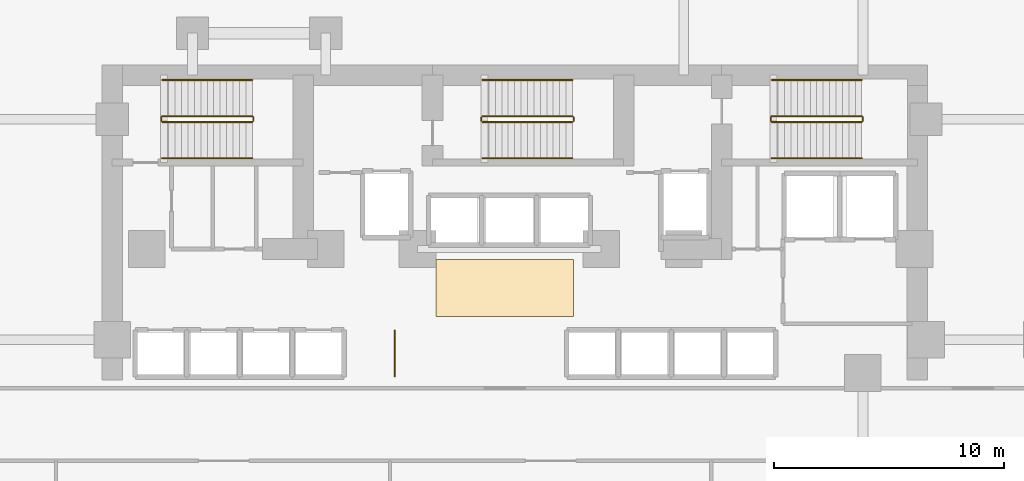
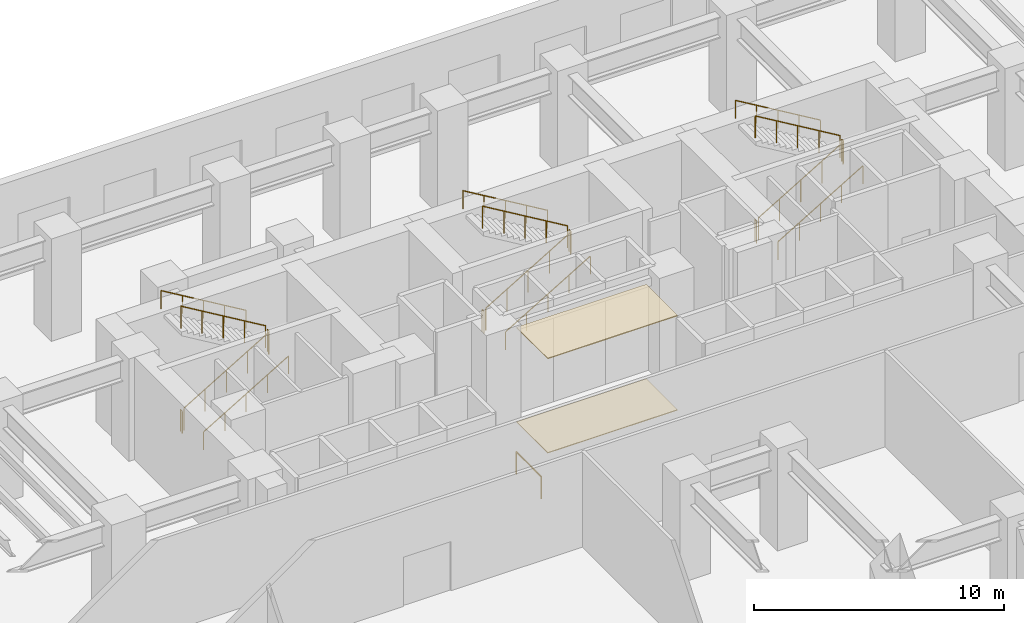
# One storey, part 19 of 19: 19 railings, 2 coverings.
"""IFC4 building model written with IfcOpenShell, lengths in metres."""

from ifc_helpers import new_model, si_unit, direction, frame, origin, origin_2d, place, context, subcontext, project, spatial, polyline, circle, outline, extrude, material, layer, layer_set, type_object, element, save


model = new_model("IFC4")

# Units and contexts
model_context = context("Model", 3, precision=1e-05, world=origin(), true_north=direction((0.0, 1.0)))
body_context = subcontext(model_context, "Body", "Model", "MODEL_VIEW")
ifc_project = project(units=[si_unit("LENGTHUNIT", "METRE"), si_unit("AREAUNIT", "SQUARE_METRE"), si_unit("VOLUMEUNIT", "CUBIC_METRE"), si_unit("PLANEANGLEUNIT", "RADIAN"), si_unit("MASSUNIT", "GRAM", prefix="KILO")], contexts=[model_context])

# Site, building, storey
site_placement = place(None, origin())
site = spatial("IfcSite", under=ifc_project, at=site_placement, CompositionType="ELEMENT")
building_placement = place(site_placement, origin())
building = spatial("IfcBuilding", under=site, at=building_placement, Name="Kestravale Grand Hotel", CompositionType="ELEMENT")
storey_placement = place(building_placement, frame((0.0, 0.0, 5.39990234375)))
storey = spatial("IfcBuildingStorey", under=building, at=storey_placement, Name="L01", CompositionType="ELEMENT", Elevation=5.39990234375)

# Coverings
ifc_material_1 = material(Name="Perforated gypsum and mineral-fibre acoustic ceiling", Category="other")
ifc_layer_1 = layer(ifc_material_1, 0.044921875)
ifc_layer_set_1 = layer_set([ifc_layer_1], Name="COV-INT-CEIL")
covering_type_1 = type_object("IfcCoveringType", Name="COV-INT-CEIL", PredefinedType="CEILING", material=ifc_layer_set_1)
covering_1_placement = place(storey_placement, frame((0.0, 0.0, 4.60498046875)))
element("IfcCovering", 1, at=covering_1_placement, inside=storey, type_object=covering_type_1, Name="L01 elevator lobby acoustic coffered ceiling", PredefinedType="CEILING", context=body_context, shape_type="SweptSolid", body=[
    extrude(outline(polyline([(36.0, 29.800048828125), (42.0, 29.800048828125), (42.0, 32.300048828125), (36.0, 32.300048828125), (36.0, 29.800048828125)])), origin(), (0.0, 0.0, 1.0), 0.045166015625),
])
ifc_material_2 = material(Name="Polished Art Deco brass-inlaid terrazzo flooring", Category="masonry")
ifc_layer_2 = layer(ifc_material_2, 0.034912109375)
ifc_layer_set_2 = layer_set([ifc_layer_2], Name="COV-INT-TERZ")
covering_type_2 = type_object("IfcCoveringType", Name="COV-INT-TERZ", PredefinedType="FLOORING", material=ifc_layer_set_2)
covering_2_placement = place(storey_placement, origin())
element("IfcCovering", 2, at=covering_2_placement, inside=storey, type_object=covering_type_2, Name="L01 elevator lobby brass-inlaid terrazzo floor", PredefinedType="FLOORING", context=body_context, shape_type="SweptSolid", body=[
    extrude(outline(polyline([(36.0, 29.800048828125), (42.0, 29.800048828125), (42.0, 32.300048828125), (36.0, 32.300048828125), (36.0, 29.800048828125)])), origin(), (0.0, 0.0, 1.0), 0.03515625),
])

# Railings
ifc_material_3 = material(Name="Art Deco fluted bronze interior gallery balustrade", Category="steel")
railing_type_1 = type_object("IfcRailingType", Name="RL-INT-BAL1100", PredefinedType="BALUSTRADE", material=ifc_material_3)
railing_1_placement = place(storey_placement, frame((34.199951171875, 27.199951171875, 0.0)))
element("IfcRailing", 3, at=railing_1_placement, inside=storey, type_object=railing_type_1, Name="L01 Art Deco bronze concourse balustrade", PredefinedType="BALUSTRADE", context=body_context, shape_type="SweptSolid", body=[
    extrude(circle(Radius=0.02392578125, at=origin_2d()), frame((0.0, 0.0, 1.076171875), z_axis=(0.0, 1.0, 0.0), x_axis=(-1.0, 0.0, 0.0)), (0.0, 0.0, 1.0), 2.0),
    extrude(circle(Radius=0.02099609375, at=origin_2d()), origin(), (0.0, 0.0, 1.0), 1.052001953125),
    extrude(circle(Radius=0.02099609375, at=origin_2d()), frame((0.0, 2.0, 0.0)), (0.0, 0.0, 1.0), 1.052001953125),
])
ifc_material_4 = material(Name="Painted tubular steel stair well guard", Category="steel")
railing_type_2 = type_object("IfcRailingType", Name="RL-ST-GRD1100", PredefinedType="GUARDRAIL", material=ifc_material_4)
railing_2_placement = place(storey_placement, frame((24.080078125, 38.280029296875, 0.166748046875)))
element("IfcRailing", 4, at=railing_2_placement, inside=storey, type_object=railing_type_2, Name="L01 ST-1 stair guard 1", PredefinedType="GUARDRAIL", context=body_context, shape_type="SweptSolid", body=[
    extrude(circle(Radius=0.02392578125, at=origin_2d()), frame((0.0, 0.0, 1.076171875), z_axis=(0.859296244711, 0.0, 0.511478214419), x_axis=(0.0, 1.0, 0.0)), (0.0, 0.0, 1.0), 4.561767578125),
    extrude(circle(Radius=0.02099609375, at=origin_2d()), origin(), (0.0, 0.0, 1.0), 1.052001953125),
    extrude(circle(Radius=0.02099609375, at=origin_2d()), frame((0.97998046875, 0.0, 0.583251953125)), (0.0, 0.0, 1.0), 1.052001953125),
    extrude(circle(Radius=0.02099609375, at=origin_2d()), frame((1.9599609375, 0.0, 1.16650390625)), (0.0, 0.0, 1.0), 1.052001953125),
    extrude(circle(Radius=0.02099609375, at=origin_2d()), frame((2.93994140625, 0.0, 1.75)), (0.0, 0.0, 1.0), 1.052001953125),
    extrude(circle(Radius=0.02099609375, at=origin_2d()), frame((3.919921875, 0.0, 2.333251953125)), (0.0, 0.0, 1.0), 1.052001953125),
])
railing_3_placement = place(storey_placement, frame((28.050048828125, 38.330078125, 2.5)))
element("IfcRailing", 5, at=railing_3_placement, inside=storey, type_object=railing_type_2, Name="L01 ST-1 stair guard 2", PredefinedType="GUARDRAIL", context=body_context, shape_type="SweptSolid", body=[
    extrude(circle(Radius=0.02392578125, at=origin_2d()), frame((0.0, 0.0, 1.076171875), z_axis=(0.0, 1.0, 0.0), x_axis=(-1.0, 0.0, 0.0)), (0.0, 0.0, 1.0), 0.14990234375),
    extrude(circle(Radius=0.02099609375, at=origin_2d()), origin(), (0.0, 0.0, 1.0), 1.052001953125),
    extrude(circle(Radius=0.02099609375, at=origin_2d()), frame((0.0, 0.14990234375, 0.0)), (0.0, 0.0, 1.0), 1.052001953125),
])
railing_4_placement = place(storey_placement, frame((28.0, 38.530029296875, 2.666748046875)))
element("IfcRailing", 6, at=railing_4_placement, inside=storey, type_object=railing_type_2, Name="L01 ST-1 stair guard 3", PredefinedType="GUARDRAIL", context=body_context, shape_type="SweptSolid", body=[
    extrude(circle(Radius=0.02392578125, at=origin_2d()), frame((0.0, 0.0, 1.076171875), z_axis=(-0.859296244711, 0.0, 0.511478214419), x_axis=(0.0, -1.0, 0.0)), (0.0, 0.0, 1.0), 4.561767578125),
    extrude(circle(Radius=0.02099609375, at=origin_2d()), origin(), (0.0, 0.0, 1.0), 1.052001953125),
    extrude(circle(Radius=0.02099609375, at=origin_2d()), frame((-0.97998046875, 0.0, 0.583251953125)), (0.0, 0.0, 1.0), 1.052001953125),
    extrude(circle(Radius=0.02099609375, at=origin_2d()), frame((-1.9599609375, 0.0, 1.16650390625)), (0.0, 0.0, 1.0), 1.052001953125),
    extrude(circle(Radius=0.02099609375, at=origin_2d()), frame((-2.93994140625, 0.0, 1.75)), (0.0, 0.0, 1.0), 1.052001953125),
    extrude(circle(Radius=0.02099609375, at=origin_2d()), frame((-3.919921875, 0.0, 2.333251953125)), (0.0, 0.0, 1.0), 1.052001953125),
])
railing_5_placement = place(storey_placement, frame((24.030029296875, 38.330078125, 0.0)))
element("IfcRailing", 7, at=railing_5_placement, inside=storey, type_object=railing_type_2, Name="L01 ST-1 stair guard 4", PredefinedType="GUARDRAIL", context=body_context, shape_type="SweptSolid", body=[
    extrude(circle(Radius=0.02392578125, at=origin_2d()), frame((0.0, 0.0, 1.076171875), z_axis=(0.0, 1.0, 0.0), x_axis=(-1.0, 0.0, 0.0)), (0.0, 0.0, 1.0), 0.14990234375),
    extrude(circle(Radius=0.02099609375, at=origin_2d()), origin(), (0.0, 0.0, 1.0), 1.052001953125),
    extrude(circle(Radius=0.02099609375, at=origin_2d()), frame((0.0, 0.14990234375, 0.0)), (0.0, 0.0, 1.0), 1.052001953125),
])
railing_6_placement = place(storey_placement, frame((38.030029296875, 38.280029296875, 0.166748046875)))
element("IfcRailing", 8, at=railing_6_placement, inside=storey, type_object=railing_type_2, Name="L01 ST-2 stair guard 1", PredefinedType="GUARDRAIL", context=body_context, shape_type="SweptSolid", body=[
    extrude(circle(Radius=0.02392578125, at=origin_2d()), frame((0.0, 0.0, 1.076171875), z_axis=(0.859296244711, 0.0, 0.511478214419), x_axis=(0.0, 1.0, 0.0)), (0.0, 0.0, 1.0), 4.561767578125),
    extrude(circle(Radius=0.02099609375, at=origin_2d()), origin(), (0.0, 0.0, 1.0), 1.052001953125),
    extrude(circle(Radius=0.02099609375, at=origin_2d()), frame((0.97998046875, 0.0, 0.583251953125)), (0.0, 0.0, 1.0), 1.052001953125),
    extrude(circle(Radius=0.02099609375, at=origin_2d()), frame((1.9599609375, 0.0, 1.16650390625)), (0.0, 0.0, 1.0), 1.052001953125),
    extrude(circle(Radius=0.02099609375, at=origin_2d()), frame((2.93994140625, 0.0, 1.75)), (0.0, 0.0, 1.0), 1.052001953125),
    extrude(circle(Radius=0.02099609375, at=origin_2d()), frame((3.919921875, 0.0, 2.333251953125)), (0.0, 0.0, 1.0), 1.052001953125),
])
railing_7_placement = place(storey_placement, frame((42.0, 38.330078125, 2.5)))
element("IfcRailing", 9, at=railing_7_placement, inside=storey, type_object=railing_type_2, Name="L01 ST-2 stair guard 2", PredefinedType="GUARDRAIL", context=body_context, shape_type="SweptSolid", body=[
    extrude(circle(Radius=0.02392578125, at=origin_2d()), frame((0.0, 0.0, 1.076171875), z_axis=(0.0, 1.0, 0.0), x_axis=(-1.0, 0.0, 0.0)), (0.0, 0.0, 1.0), 0.14990234375),
    extrude(circle(Radius=0.02099609375, at=origin_2d()), origin(), (0.0, 0.0, 1.0), 1.052001953125),
    extrude(circle(Radius=0.02099609375, at=origin_2d()), frame((0.0, 0.14990234375, 0.0)), (0.0, 0.0, 1.0), 1.052001953125),
])
railing_8_placement = place(storey_placement, frame((41.949951171875, 38.530029296875, 2.666748046875)))
element("IfcRailing", 10, at=railing_8_placement, inside=storey, type_object=railing_type_2, Name="L01 ST-2 stair guard 3", PredefinedType="GUARDRAIL", context=body_context, shape_type="SweptSolid", body=[
    extrude(circle(Radius=0.02392578125, at=origin_2d()), frame((0.0, 0.0, 1.076171875), z_axis=(-0.859296244711, 0.0, 0.511478214419), x_axis=(0.0, -1.0, 0.0)), (0.0, 0.0, 1.0), 4.561767578125),
    extrude(circle(Radius=0.02099609375, at=origin_2d()), origin(), (0.0, 0.0, 1.0), 1.052001953125),
    extrude(circle(Radius=0.02099609375, at=origin_2d()), frame((-0.97998046875, 0.0, 0.583251953125)), (0.0, 0.0, 1.0), 1.052001953125),
    extrude(circle(Radius=0.02099609375, at=origin_2d()), frame((-1.9599609375, 0.0, 1.16650390625)), (0.0, 0.0, 1.0), 1.052001953125),
    extrude(circle(Radius=0.02099609375, at=origin_2d()), frame((-2.93994140625, 0.0, 1.75)), (0.0, 0.0, 1.0), 1.052001953125),
    extrude(circle(Radius=0.02099609375, at=origin_2d()), frame((-3.919921875, 0.0, 2.333251953125)), (0.0, 0.0, 1.0), 1.052001953125),
])
railing_9_placement = place(storey_placement, frame((37.97998046875, 38.330078125, 0.0)))
element("IfcRailing", 11, at=railing_9_placement, inside=storey, type_object=railing_type_2, Name="L01 ST-2 stair guard 4", PredefinedType="GUARDRAIL", context=body_context, shape_type="SweptSolid", body=[
    extrude(circle(Radius=0.02392578125, at=origin_2d()), frame((0.0, 0.0, 1.076171875), z_axis=(0.0, 1.0, 0.0), x_axis=(-1.0, 0.0, 0.0)), (0.0, 0.0, 1.0), 0.14990234375),
    extrude(circle(Radius=0.02099609375, at=origin_2d()), origin(), (0.0, 0.0, 1.0), 1.052001953125),
    extrude(circle(Radius=0.02099609375, at=origin_2d()), frame((0.0, 0.14990234375, 0.0)), (0.0, 0.0, 1.0), 1.052001953125),
])
railing_10_placement = place(storey_placement, frame((50.6298828125, 38.280029296875, 0.166748046875)))
element("IfcRailing", 12, at=railing_10_placement, inside=storey, type_object=railing_type_2, Name="L01 ST-3 stair guard 1", PredefinedType="GUARDRAIL", context=body_context, shape_type="SweptSolid", body=[
    extrude(circle(Radius=0.02392578125, at=origin_2d()), frame((0.0, 0.0, 1.076171875), z_axis=(0.859310244771, 0.0, 0.511454693235), x_axis=(0.0, 1.0, 0.0)), (0.0, 0.0, 1.0), 4.56201171875),
    extrude(circle(Radius=0.02099609375, at=origin_2d()), origin(), (0.0, 0.0, 1.0), 1.052001953125),
    extrude(circle(Radius=0.02099609375, at=origin_2d()), frame((0.97998046875, 0.0, 0.583251953125)), (0.0, 0.0, 1.0), 1.052001953125),
    extrude(circle(Radius=0.02099609375, at=origin_2d()), frame((1.9599609375, 0.0, 1.16650390625)), (0.0, 0.0, 1.0), 1.052001953125),
    extrude(circle(Radius=0.02099609375, at=origin_2d()), frame((2.940185546875, 0.0, 1.75)), (0.0, 0.0, 1.0), 1.052001953125),
    extrude(circle(Radius=0.02099609375, at=origin_2d()), frame((3.920166015625, 0.0, 2.333251953125)), (0.0, 0.0, 1.0), 1.052001953125),
])
railing_11_placement = place(storey_placement, frame((54.60009765625, 38.330078125, 2.5)))
element("IfcRailing", 13, at=railing_11_placement, inside=storey, type_object=railing_type_2, Name="L01 ST-3 stair guard 2", PredefinedType="GUARDRAIL", context=body_context, shape_type="SweptSolid", body=[
    extrude(circle(Radius=0.02392578125, at=origin_2d()), frame((0.0, 0.0, 1.076171875), z_axis=(0.0, 1.0, 0.0), x_axis=(-1.0, 0.0, 0.0)), (0.0, 0.0, 1.0), 0.14990234375),
    extrude(circle(Radius=0.02099609375, at=origin_2d()), origin(), (0.0, 0.0, 1.0), 1.052001953125),
    extrude(circle(Radius=0.02099609375, at=origin_2d()), frame((0.0, 0.14990234375, 0.0)), (0.0, 0.0, 1.0), 1.052001953125),
])
railing_12_placement = place(storey_placement, frame((54.550048828125, 38.530029296875, 2.666748046875)))
element("IfcRailing", 14, at=railing_12_placement, inside=storey, type_object=railing_type_2, Name="L01 ST-3 stair guard 3", PredefinedType="GUARDRAIL", context=body_context, shape_type="SweptSolid", body=[
    extrude(circle(Radius=0.02392578125, at=origin_2d()), frame((0.0, 0.0, 1.076171875), z_axis=(-0.859310244771, 0.0, 0.511454693235), x_axis=(0.0, -1.0, 0.0)), (0.0, 0.0, 1.0), 4.56201171875),
    extrude(circle(Radius=0.02099609375, at=origin_2d()), origin(), (0.0, 0.0, 1.0), 1.052001953125),
    extrude(circle(Radius=0.02099609375, at=origin_2d()), frame((-0.97998046875, 0.0, 0.583251953125)), (0.0, 0.0, 1.0), 1.052001953125),
    extrude(circle(Radius=0.02099609375, at=origin_2d()), frame((-1.9599609375, 0.0, 1.16650390625)), (0.0, 0.0, 1.0), 1.052001953125),
    extrude(circle(Radius=0.02099609375, at=origin_2d()), frame((-2.940185546875, 0.0, 1.75)), (0.0, 0.0, 1.0), 1.052001953125),
    extrude(circle(Radius=0.02099609375, at=origin_2d()), frame((-3.920166015625, 0.0, 2.333251953125)), (0.0, 0.0, 1.0), 1.052001953125),
])
railing_13_placement = place(storey_placement, frame((50.580078125, 38.330078125, 0.0)))
element("IfcRailing", 15, at=railing_13_placement, inside=storey, type_object=railing_type_2, Name="L01 ST-3 stair guard 4", PredefinedType="GUARDRAIL", context=body_context, shape_type="SweptSolid", body=[
    extrude(circle(Radius=0.02392578125, at=origin_2d()), frame((0.0, 0.0, 1.076171875), z_axis=(0.0, 1.0, 0.0), x_axis=(-1.0, 0.0, 0.0)), (0.0, 0.0, 1.0), 0.14990234375),
    extrude(circle(Radius=0.02099609375, at=origin_2d()), origin(), (0.0, 0.0, 1.0), 1.052001953125),
    extrude(circle(Radius=0.02099609375, at=origin_2d()), frame((0.0, 0.14990234375, 0.0)), (0.0, 0.0, 1.0), 1.052001953125),
])
ifc_material_5 = material(Name="Brushed stainless steel wall handrail", Category="steel")
railing_type_3 = type_object("IfcRailingType", Name="RL-ST-HND900", PredefinedType="HANDRAIL", material=ifc_material_5)
railing_14_placement = place(storey_placement, frame((24.080078125, 36.699951171875, 0.166748046875)))
element("IfcRailing", 16, at=railing_14_placement, inside=storey, type_object=railing_type_3, Name="L01 ST-1 stair handrail 1", PredefinedType="HANDRAIL", context=body_context, shape_type="SweptSolid", body=[
    extrude(circle(Radius=0.02392578125, at=origin_2d()), frame((0.0, 0.0, 0.8759765625), z_axis=(0.859296244711, 0.0, 0.511478214419), x_axis=(0.0, 1.0, 0.0)), (0.0, 0.0, 1.0), 4.561767578125),
    extrude(circle(Radius=0.02099609375, at=origin_2d()), origin(), (0.0, 0.0, 1.0), 0.851806640625),
    extrude(circle(Radius=0.02099609375, at=origin_2d()), frame((0.97998046875, 0.0, 0.583251953125)), (0.0, 0.0, 1.0), 0.851806640625),
    extrude(circle(Radius=0.02099609375, at=origin_2d()), frame((1.9599609375, 0.0, 1.16650390625)), (0.0, 0.0, 1.0), 0.851806640625),
    extrude(circle(Radius=0.02099609375, at=origin_2d()), frame((2.93994140625, 0.0, 1.75)), (0.0, 0.0, 1.0), 0.851806640625),
    extrude(circle(Radius=0.02099609375, at=origin_2d()), frame((3.919921875, 0.0, 2.333251953125)), (0.0, 0.0, 1.0), 0.851806640625),
])
railing_15_placement = place(storey_placement, frame((28.0, 40.110107421875, 2.666748046875)))
element("IfcRailing", 17, at=railing_15_placement, inside=storey, type_object=railing_type_3, Name="L01 ST-1 stair handrail 2", PredefinedType="HANDRAIL", context=body_context, shape_type="SweptSolid", body=[
    extrude(circle(Radius=0.02392578125, at=origin_2d()), frame((0.0, 0.0, 0.8759765625), z_axis=(-0.859296244711, 0.0, 0.511478214419), x_axis=(0.0, -1.0, 0.0)), (0.0, 0.0, 1.0), 4.561767578125),
    extrude(circle(Radius=0.02099609375, at=origin_2d()), origin(), (0.0, 0.0, 1.0), 0.851806640625),
    extrude(circle(Radius=0.02099609375, at=origin_2d()), frame((-0.97998046875, 0.0, 0.583251953125)), (0.0, 0.0, 1.0), 0.851806640625),
    extrude(circle(Radius=0.02099609375, at=origin_2d()), frame((-1.9599609375, 0.0, 1.16650390625)), (0.0, 0.0, 1.0), 0.851806640625),
    extrude(circle(Radius=0.02099609375, at=origin_2d()), frame((-2.93994140625, 0.0, 1.75)), (0.0, 0.0, 1.0), 0.851806640625),
    extrude(circle(Radius=0.02099609375, at=origin_2d()), frame((-3.919921875, 0.0, 2.333251953125)), (0.0, 0.0, 1.0), 0.851806640625),
])
railing_16_placement = place(storey_placement, frame((38.030029296875, 36.699951171875, 0.166748046875)))
element("IfcRailing", 18, at=railing_16_placement, inside=storey, type_object=railing_type_3, Name="L01 ST-2 stair handrail 1", PredefinedType="HANDRAIL", context=body_context, shape_type="SweptSolid", body=[
    extrude(circle(Radius=0.02392578125, at=origin_2d()), frame((0.0, 0.0, 0.8759765625), z_axis=(0.859296244711, 0.0, 0.511478214419), x_axis=(0.0, 1.0, 0.0)), (0.0, 0.0, 1.0), 4.561767578125),
    extrude(circle(Radius=0.02099609375, at=origin_2d()), origin(), (0.0, 0.0, 1.0), 0.851806640625),
    extrude(circle(Radius=0.02099609375, at=origin_2d()), frame((0.97998046875, 0.0, 0.583251953125)), (0.0, 0.0, 1.0), 0.851806640625),
    extrude(circle(Radius=0.02099609375, at=origin_2d()), frame((1.9599609375, 0.0, 1.16650390625)), (0.0, 0.0, 1.0), 0.851806640625),
    extrude(circle(Radius=0.02099609375, at=origin_2d()), frame((2.93994140625, 0.0, 1.75)), (0.0, 0.0, 1.0), 0.851806640625),
    extrude(circle(Radius=0.02099609375, at=origin_2d()), frame((3.919921875, 0.0, 2.333251953125)), (0.0, 0.0, 1.0), 0.851806640625),
])
railing_17_placement = place(storey_placement, frame((41.949951171875, 40.110107421875, 2.666748046875)))
element("IfcRailing", 19, at=railing_17_placement, inside=storey, type_object=railing_type_3, Name="L01 ST-2 stair handrail 2", PredefinedType="HANDRAIL", context=body_context, shape_type="SweptSolid", body=[
    extrude(circle(Radius=0.02392578125, at=origin_2d()), frame((0.0, 0.0, 0.8759765625), z_axis=(-0.859296244711, 0.0, 0.511478214419), x_axis=(0.0, -1.0, 0.0)), (0.0, 0.0, 1.0), 4.561767578125),
    extrude(circle(Radius=0.02099609375, at=origin_2d()), origin(), (0.0, 0.0, 1.0), 0.851806640625),
    extrude(circle(Radius=0.02099609375, at=origin_2d()), frame((-0.97998046875, 0.0, 0.583251953125)), (0.0, 0.0, 1.0), 0.851806640625),
    extrude(circle(Radius=0.02099609375, at=origin_2d()), frame((-1.9599609375, 0.0, 1.16650390625)), (0.0, 0.0, 1.0), 0.851806640625),
    extrude(circle(Radius=0.02099609375, at=origin_2d()), frame((-2.93994140625, 0.0, 1.75)), (0.0, 0.0, 1.0), 0.851806640625),
    extrude(circle(Radius=0.02099609375, at=origin_2d()), frame((-3.919921875, 0.0, 2.333251953125)), (0.0, 0.0, 1.0), 0.851806640625),
])
railing_18_placement = place(storey_placement, frame((50.6298828125, 36.699951171875, 0.166748046875)))
element("IfcRailing", 20, at=railing_18_placement, inside=storey, type_object=railing_type_3, Name="L01 ST-3 stair handrail 1", PredefinedType="HANDRAIL", context=body_context, shape_type="SweptSolid", body=[
    extrude(circle(Radius=0.02392578125, at=origin_2d()), frame((0.0, 0.0, 0.8759765625), z_axis=(0.859310244771, 0.0, 0.511454693235), x_axis=(0.0, 1.0, 0.0)), (0.0, 0.0, 1.0), 4.56201171875),
    extrude(circle(Radius=0.02099609375, at=origin_2d()), origin(), (0.0, 0.0, 1.0), 0.851806640625),
    extrude(circle(Radius=0.02099609375, at=origin_2d()), frame((0.97998046875, 0.0, 0.583251953125)), (0.0, 0.0, 1.0), 0.851806640625),
    extrude(circle(Radius=0.02099609375, at=origin_2d()), frame((1.9599609375, 0.0, 1.16650390625)), (0.0, 0.0, 1.0), 0.851806640625),
    extrude(circle(Radius=0.02099609375, at=origin_2d()), frame((2.940185546875, 0.0, 1.75)), (0.0, 0.0, 1.0), 0.851806640625),
    extrude(circle(Radius=0.02099609375, at=origin_2d()), frame((3.920166015625, 0.0, 2.333251953125)), (0.0, 0.0, 1.0), 0.851806640625),
])
railing_19_placement = place(storey_placement, frame((54.550048828125, 40.110107421875, 2.666748046875)))
element("IfcRailing", 21, at=railing_19_placement, inside=storey, type_object=railing_type_3, Name="L01 ST-3 stair handrail 2", PredefinedType="HANDRAIL", context=body_context, shape_type="SweptSolid", body=[
    extrude(circle(Radius=0.02392578125, at=origin_2d()), frame((0.0, 0.0, 0.8759765625), z_axis=(-0.859310244771, 0.0, 0.511454693235), x_axis=(0.0, -1.0, 0.0)), (0.0, 0.0, 1.0), 4.56201171875),
    extrude(circle(Radius=0.02099609375, at=origin_2d()), origin(), (0.0, 0.0, 1.0), 0.851806640625),
    extrude(circle(Radius=0.02099609375, at=origin_2d()), frame((-0.97998046875, 0.0, 0.583251953125)), (0.0, 0.0, 1.0), 0.851806640625),
    extrude(circle(Radius=0.02099609375, at=origin_2d()), frame((-1.9599609375, 0.0, 1.16650390625)), (0.0, 0.0, 1.0), 0.851806640625),
    extrude(circle(Radius=0.02099609375, at=origin_2d()), frame((-2.940185546875, 0.0, 1.75)), (0.0, 0.0, 1.0), 0.851806640625),
    extrude(circle(Radius=0.02099609375, at=origin_2d()), frame((-3.920166015625, 0.0, 2.333251953125)), (0.0, 0.0, 1.0), 0.851806640625),
])

save(model, "model.ifc")
